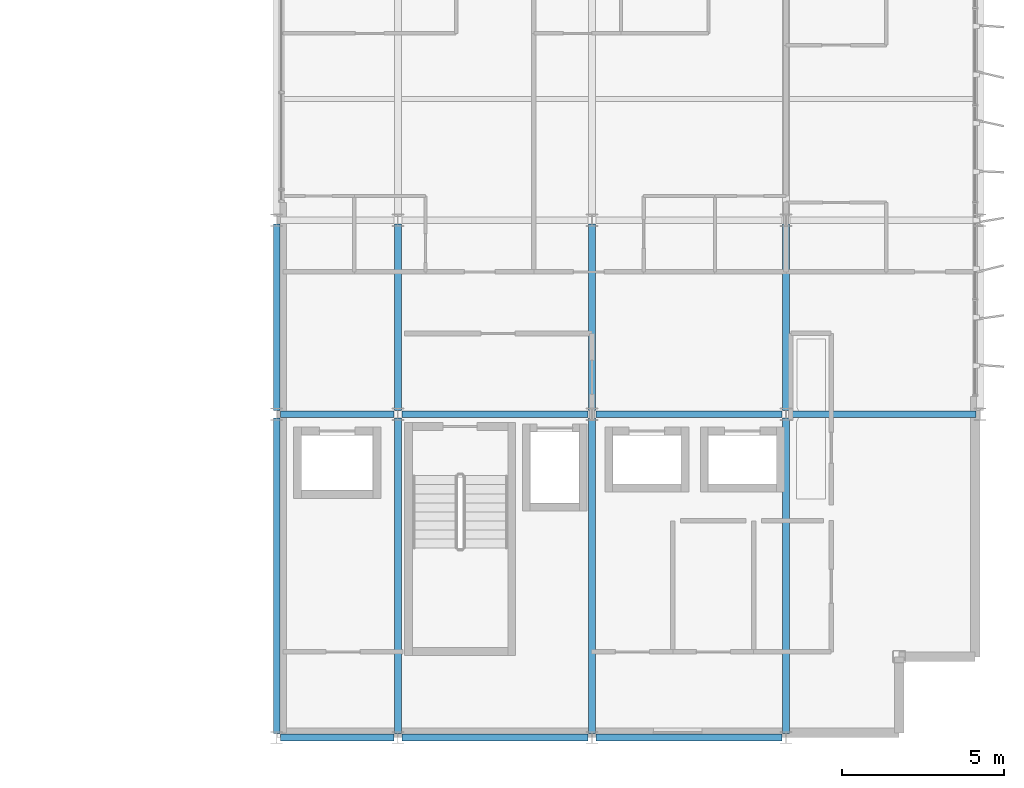
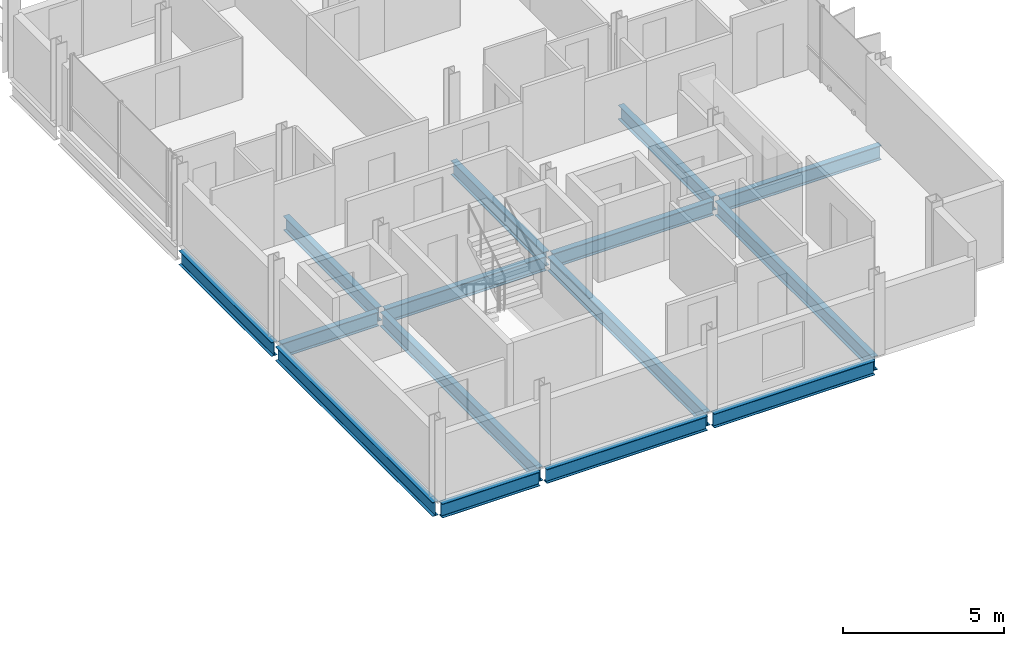
# One storey, part 10 of 30: 15 beams.
"""IFC4 building model written with IfcOpenShell, lengths in metres."""

from ifc_helpers import new_model, si_unit, direction, frame, origin, origin_2d, place, context, subcontext, project, spatial, i_section, extrude, material, material_profile, profile_set, type_object, element, save


model = new_model("IFC4")

# Units and contexts
model_context = context("Model", 3, precision=1e-05, world=origin(), true_north=direction((0.0, 1.0)))
body_context = subcontext(model_context, "Body", "Model", "MODEL_VIEW")
ifc_project = project(units=[si_unit("LENGTHUNIT", "METRE"), si_unit("AREAUNIT", "SQUARE_METRE"), si_unit("VOLUMEUNIT", "CUBIC_METRE"), si_unit("PLANEANGLEUNIT", "RADIAN"), si_unit("MASSUNIT", "GRAM", prefix="KILO")], contexts=[model_context])

# Site, building, storey
site_placement = place(None, origin())
site = spatial("IfcSite", under=ifc_project, at=site_placement, CompositionType="ELEMENT")
building_placement = place(site_placement, origin())
building = spatial("IfcBuilding", under=site, at=building_placement, Name="Brevholm Reach", CompositionType="ELEMENT")
storey_placement = place(building_placement, frame((0.0, 0.0, 204.89990234375)))
storey = spatial("IfcBuildingStorey", under=building, at=storey_placement, Name="L62", CompositionType="ELEMENT", Elevation=204.89990234375)

# Beams
ifc_material_1 = material(Name="Structural Steel S355J2", Category="steel")
ifc_material_profile_1 = material_profile(ifc_material_1, i_section(OverallWidth=0.209228515625, OverallDepth=0.533203125, WebThickness=0.010009765625, FlangeThickness=0.015625, FilletRadius=0.0126953125, at=origin_2d()), Name="UKB 533x210x92")
ifc_profile_set_1 = profile_set([ifc_material_profile_1], Name="Structural Steel S355J2")
beam_type_1 = type_object("IfcBeamType", Name="BM-SP533", PredefinedType="SPANDREL", material=ifc_profile_set_1)
beam_1_placement = place(storey_placement, frame((38.3701171875, 0.0, -0.4765625), z_axis=(1.0, 0.0, 0.0), x_axis=(0.0, 1.0, 0.0)))
element("IfcBeam", 1, at=beam_1_placement, inside=storey, type_object=beam_type_1, Name="L62 SP-02 Framing Beam", PredefinedType="SPANDREL", context=body_context, shape_type="SweptSolid", body=[
    extrude(i_section(OverallWidth=0.209228515625, OverallDepth=0.533203125, WebThickness=0.010009765625, FlangeThickness=0.015625, FilletRadius=0.0126953125, at=origin_2d()), origin(), (0.0, 0.0, 1.0), 3.509765625),
])
for number, where, z_axis, x_axis, name in (
    (2, (42.1201171875, 0.0, -0.4765625), (1.0, 0.0, 0.0), (0.0, 1.0, 0.0), "L62 SP-02 Framing Beam"),
    (3, (48.1201171875, 0.0, -0.4765625), (1.0, 0.0, 0.0), (0.0, 1.0, 0.0), "L62 SP-02 Framing Beam"),
):
    element("IfcBeam", number, at=place(storey_placement, frame(where, z_axis=z_axis, x_axis=x_axis)), inside=storey, type_object=beam_type_1, Name=name, PredefinedType="SPANDREL", context=body_context, shape_type="SweptSolid", body=[
        extrude(i_section(OverallWidth=0.209228515625, OverallDepth=0.533203125, WebThickness=0.010009765625, FlangeThickness=0.015625, FilletRadius=0.0126953125, at=origin_2d()), origin(), (0.0, 0.0, 1.0), 5.759765625),
    ])
beam_2_placement = place(storey_placement, frame((38.25, 0.1201171875, -0.4765625), z_axis=(0.0, 1.0, 0.0), x_axis=(-1.0, 0.0, 0.0)))
element("IfcBeam", 4, at=beam_2_placement, inside=storey, type_object=beam_type_1, Name="L62 SP-02 Framing Beam", PredefinedType="SPANDREL", context=body_context, shape_type="SweptSolid", body=[
    extrude(i_section(OverallWidth=0.209228515625, OverallDepth=0.533203125, WebThickness=0.010009765625, FlangeThickness=0.015625, FilletRadius=0.0126953125, at=origin_2d()), origin(), (0.0, 0.0, 1.0), 9.759765625),
])
beam_3_placement = place(storey_placement, frame((38.25, 10.1201171875, -0.4765625), z_axis=(0.0, 1.0, 0.0), x_axis=(-1.0, 0.0, 0.0)))
element("IfcBeam", 5, at=beam_3_placement, inside=storey, type_object=beam_type_1, Name="L62 SP-02 Framing Beam", PredefinedType="SPANDREL", context=body_context, shape_type="SweptSolid", body=[
    extrude(i_section(OverallWidth=0.209228515625, OverallDepth=0.533203125, WebThickness=0.010009765625, FlangeThickness=0.015625, FilletRadius=0.0126953125, at=origin_2d()), origin(), (0.0, 0.0, 1.0), 5.759765625),
])
ifc_material_2 = material(Name="Structural Steel S355J2", Category="steel")
ifc_material_profile_2 = material_profile(ifc_material_2, i_section(OverallWidth=0.210693359375, OverallDepth=0.53955078125, WebThickness=0.01171875, FlangeThickness=0.018798828125, FilletRadius=0.0126953125, at=origin_2d()), Name="UKB 533x210x109")
ifc_profile_set_2 = profile_set([ifc_material_profile_2], Name="Structural Steel S355J2")
beam_type_2 = type_object("IfcBeamType", Name="BM-SP539", PredefinedType="SPANDREL", material=ifc_profile_set_2)
beam_4_placement = place(storey_placement, frame((38.3701171875, 10.0, -0.479736328125), z_axis=(1.0, 0.0, 0.0), x_axis=(0.0, 1.0, 0.0)))
element("IfcBeam", 6, at=beam_4_placement, inside=storey, type_object=beam_type_2, Name="L62 SP-01B Framing Beam", PredefinedType="SPANDREL", context=body_context, shape_type="SweptSolid", body=[
    extrude(i_section(OverallWidth=0.210693359375, OverallDepth=0.53955078125, WebThickness=0.01171875, FlangeThickness=0.018798828125, FilletRadius=0.0126953125, at=origin_2d()), origin(), (0.0, 0.0, 1.0), 3.509765625),
])
for number, where, z_axis, x_axis, name in (
    (7, (42.1201171875, 10.0, -0.479736328125), (1.0, 0.0, 0.0), (0.0, 1.0, 0.0), "L62 SP-01B Framing Beam"),
    (8, (48.1201171875, 10.0, -0.479736328125), (1.0, 0.0, 0.0), (0.0, 1.0, 0.0), "L62 SP-01B Framing Beam"),
    (9, (54.1201171875, 10.0, -0.479736328125), (1.0, 0.0, 0.0), (0.0, 1.0, 0.0), "L62 SP-01B Framing Beam"),
):
    element("IfcBeam", number, at=place(storey_placement, frame(where, z_axis=z_axis, x_axis=x_axis)), inside=storey, type_object=beam_type_2, Name=name, PredefinedType="SPANDREL", context=body_context, shape_type="SweptSolid", body=[
        extrude(i_section(OverallWidth=0.210693359375, OverallDepth=0.53955078125, WebThickness=0.01171875, FlangeThickness=0.018798828125, FilletRadius=0.0126953125, at=origin_2d()), origin(), (0.0, 0.0, 1.0), 5.759765625),
    ])
beam_5_placement = place(storey_placement, frame((42.0, 0.1201171875, -0.479736328125), z_axis=(0.0, 1.0, 0.0), x_axis=(-1.0, 0.0, 0.0)))
element("IfcBeam", 10, at=beam_5_placement, inside=storey, type_object=beam_type_2, Name="L62 SP-01B Framing Beam", PredefinedType="SPANDREL", context=body_context, shape_type="SweptSolid", body=[
    extrude(i_section(OverallWidth=0.210693359375, OverallDepth=0.53955078125, WebThickness=0.01171875, FlangeThickness=0.018798828125, FilletRadius=0.0126953125, at=origin_2d()), origin(), (0.0, 0.0, 1.0), 9.759765625),
])
beam_6_placement = place(storey_placement, frame((42.0, 10.1201171875, -0.479736328125), z_axis=(0.0, 1.0, 0.0), x_axis=(-1.0, 0.0, 0.0)))
element("IfcBeam", 11, at=beam_6_placement, inside=storey, type_object=beam_type_2, Name="L62 SP-01B Framing Beam", PredefinedType="SPANDREL", context=body_context, shape_type="SweptSolid", body=[
    extrude(i_section(OverallWidth=0.210693359375, OverallDepth=0.53955078125, WebThickness=0.01171875, FlangeThickness=0.018798828125, FilletRadius=0.0126953125, at=origin_2d()), origin(), (0.0, 0.0, 1.0), 5.759765625),
])
beam_7_placement = place(storey_placement, frame((48.0, 0.1201171875, -0.479736328125), z_axis=(0.0, 1.0, 0.0), x_axis=(-1.0, 0.0, 0.0)))
element("IfcBeam", 12, at=beam_7_placement, inside=storey, type_object=beam_type_2, Name="L62 SP-01B Framing Beam", PredefinedType="SPANDREL", context=body_context, shape_type="SweptSolid", body=[
    extrude(i_section(OverallWidth=0.210693359375, OverallDepth=0.53955078125, WebThickness=0.01171875, FlangeThickness=0.018798828125, FilletRadius=0.0126953125, at=origin_2d()), origin(), (0.0, 0.0, 1.0), 9.759765625),
])
beam_8_placement = place(storey_placement, frame((48.0, 10.1201171875, -0.479736328125), z_axis=(0.0, 1.0, 0.0), x_axis=(-1.0, 0.0, 0.0)))
element("IfcBeam", 13, at=beam_8_placement, inside=storey, type_object=beam_type_2, Name="L62 SP-01B Framing Beam", PredefinedType="SPANDREL", context=body_context, shape_type="SweptSolid", body=[
    extrude(i_section(OverallWidth=0.210693359375, OverallDepth=0.53955078125, WebThickness=0.01171875, FlangeThickness=0.018798828125, FilletRadius=0.0126953125, at=origin_2d()), origin(), (0.0, 0.0, 1.0), 5.759765625),
])
beam_9_placement = place(storey_placement, frame((54.0, 0.1201171875, -0.479736328125), z_axis=(0.0, 1.0, 0.0), x_axis=(-1.0, 0.0, 0.0)))
element("IfcBeam", 14, at=beam_9_placement, inside=storey, type_object=beam_type_2, Name="L62 SP-01B Framing Beam", PredefinedType="SPANDREL", context=body_context, shape_type="SweptSolid", body=[
    extrude(i_section(OverallWidth=0.210693359375, OverallDepth=0.53955078125, WebThickness=0.01171875, FlangeThickness=0.018798828125, FilletRadius=0.0126953125, at=origin_2d()), origin(), (0.0, 0.0, 1.0), 9.759765625),
])
beam_10_placement = place(storey_placement, frame((54.0, 10.1201171875, -0.479736328125), z_axis=(0.0, 1.0, 0.0), x_axis=(-1.0, 0.0, 0.0)))
element("IfcBeam", 15, at=beam_10_placement, inside=storey, type_object=beam_type_2, Name="L62 SP-01B Framing Beam", PredefinedType="SPANDREL", context=body_context, shape_type="SweptSolid", body=[
    extrude(i_section(OverallWidth=0.210693359375, OverallDepth=0.53955078125, WebThickness=0.01171875, FlangeThickness=0.018798828125, FilletRadius=0.0126953125, at=origin_2d()), origin(), (0.0, 0.0, 1.0), 5.759765625),
])

save(model, "model.ifc")
